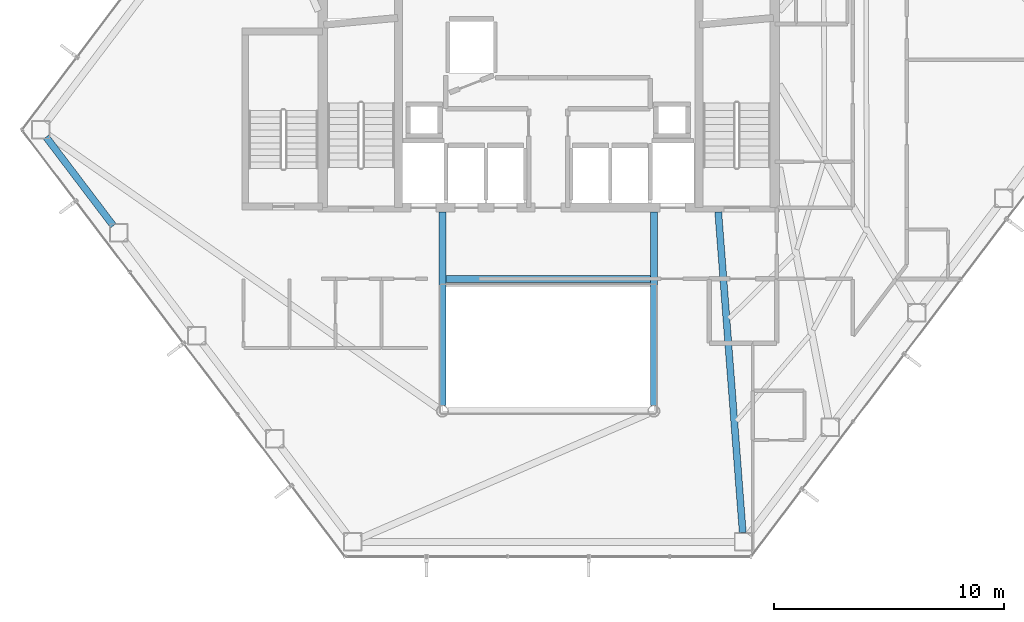
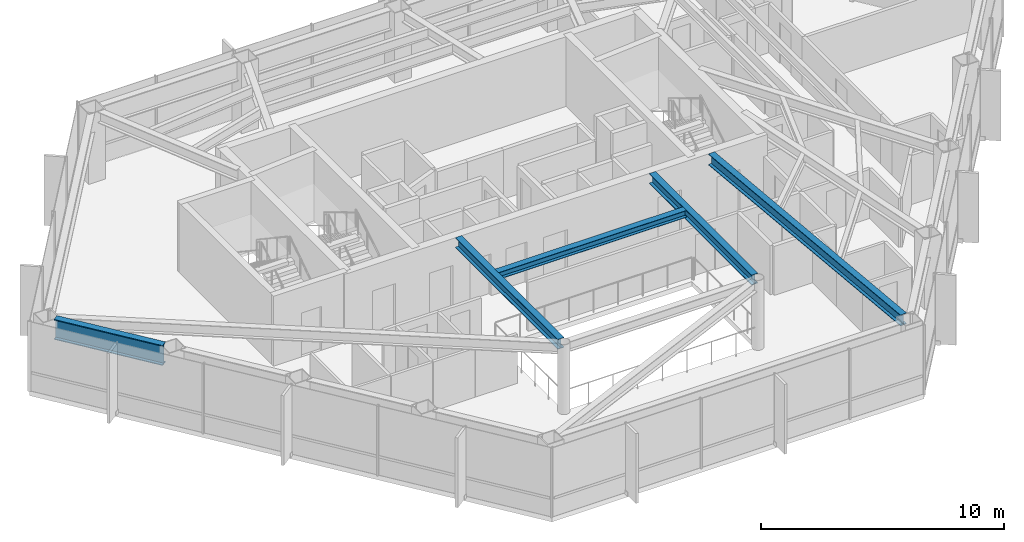
# One storey, part 9 of 28: 5 beams.
"""IFC4 building model written with IfcOpenShell, lengths in metres."""

from ifc_helpers import new_model, si_unit, direction, frame, origin, origin_2d, place, context, subcontext, project, spatial, i_section, extrude, material, material_profile, profile_set, type_object, element, save


model = new_model("IFC4")

# Units and contexts
model_context = context("Model", 3, precision=1e-05, world=origin(), true_north=direction((0.0, 1.0)))
body_context = subcontext(model_context, "Body", "Model", "MODEL_VIEW")
ifc_project = project(units=[si_unit("LENGTHUNIT", "METRE"), si_unit("AREAUNIT", "SQUARE_METRE"), si_unit("VOLUMEUNIT", "CUBIC_METRE"), si_unit("PLANEANGLEUNIT", "RADIAN"), si_unit("MASSUNIT", "GRAM", prefix="KILO")], contexts=[model_context])

# Site, building, storey
site_placement = place(None, origin())
site = spatial("IfcSite", under=ifc_project, at=site_placement, CompositionType="ELEMENT")
building_placement = place(site_placement, origin())
building = spatial("IfcBuilding", under=site, at=building_placement, Name="Zarrinselat Tower", CompositionType="ELEMENT")
storey_placement = place(building_placement, frame((0.0, 0.0, 123.419921875)))
storey = spatial("IfcBuildingStorey", under=building, at=storey_placement, Name="L29", CompositionType="ELEMENT", Elevation=123.419921875)

# Beams
ifc_material_1 = material(Name="Steel S355J2", Category="steel")
ifc_material_profile_1 = material_profile(ifc_material_1, i_section(OverallWidth=0.300048828125, OverallDepth=0.35009765625, WebThickness=0.010009765625, FlangeThickness=0.017578125, at=origin_2d()), Name="HEA 360")
ifc_profile_set_1 = profile_set([ifc_material_profile_1], Name="Steel S355J2")
beam_type_1 = type_object("IfcBeamType", Name="BM-HEA360", PredefinedType="LINTEL", material=ifc_profile_set_1)
beam_1_placement = place(storey_placement, frame((33.93994140625, 30.14990234375, 3.3251953125), z_axis=(1.0, 0.0, 0.0), x_axis=(0.0, 1.0, 0.0)))
element("IfcBeam", 1, at=beam_1_placement, inside=storey, type_object=beam_type_1, Name="L29 Lift Lobby Ceiling Beam", PredefinedType="LINTEL", context=body_context, shape_type="SweptSolid", body=[
    extrude(i_section(OverallWidth=0.300048828125, OverallDepth=0.35009765625, WebThickness=0.010009765625, FlangeThickness=0.017578125, at=origin_2d()), origin(), (0.0, 0.0, 1.0), 8.920166015625),
])
ifc_material_2 = material(Name="Steel S355J2", Category="steel")
ifc_material_profile_2 = material_profile(ifc_material_2, i_section(OverallWidth=0.300048828125, OverallDepth=0.5, WebThickness=0.014404296875, FlangeThickness=0.028076171875, at=origin_2d()), Name="HEB 500")
ifc_profile_set_2 = profile_set([ifc_material_profile_2], Name="Steel S355J2")
beam_type_2 = type_object("IfcBeamType", Name="BM-HEB500", PredefinedType="BEAM", material=ifc_profile_set_2)
for number, where, z_axis, x_axis, name in (
    (2, (33.800048828125, 24.639892578125, 3.25), (0.0, 1.0, 0.0), (-1.0, 0.0, 0.0), "L29 Atrium Edge Beam W"),
    (3, (43.0, 24.639892578125, 3.25), (0.0, 1.0, 0.0), (-1.0, 0.0, 0.0), "L29 Atrium Edge Beam E"),
):
    element("IfcBeam", number, at=place(storey_placement, frame(where, z_axis=z_axis, x_axis=x_axis)), inside=storey, type_object=beam_type_2, Name=name, PredefinedType="BEAM", context=body_context, shape_type="SweptSolid", body=[
        extrude(i_section(OverallWidth=0.300048828125, OverallDepth=0.5, WebThickness=0.014404296875, FlangeThickness=0.028076171875, at=origin_2d()), origin(), (0.0, 0.0, 1.0), 8.420166015625),
    ])
ifc_material_3 = material(Name="Steel S355J2", Category="steel")
ifc_material_profile_3 = material_profile(ifc_material_3, i_section(OverallWidth=0.300048828125, OverallDepth=0.550048828125, WebThickness=0.014892578125, FlangeThickness=0.029052734375, at=origin_2d()), Name="HEB 550")
ifc_profile_set_3 = profile_set([ifc_material_profile_3], Name="Steel S355J2")
beam_type_3 = type_object("IfcBeamType", Name="BM-HEB550", PredefinedType="BEAM", material=ifc_profile_set_3)
beam_2_placement = place(storey_placement, frame((45.800048828125, 33.06005859375, 3.22509765625), z_axis=(0.076105026411, -0.997099806918, 0.0), x_axis=(0.997099806918, 0.076105026411, 0.0)))
element("IfcBeam", 4, at=beam_2_placement, inside=storey, type_object=beam_type_3, Name="L29 Radial Primary Girder RG11", PredefinedType="BEAM", context=body_context, shape_type="SweptSolid", body=[
    extrude(i_section(OverallWidth=0.300048828125, OverallDepth=0.550048828125, WebThickness=0.014892578125, FlangeThickness=0.029052734375, at=origin_2d()), origin(), (0.0, 0.0, 1.0), 13.9833984375),
])
ifc_material_4 = material(Name="Steel S460M", Category="steel")
ifc_material_profile_4 = material_profile(ifc_material_4, i_section(OverallWidth=0.302001953125, OverallDepth=1.008056640625, WebThickness=0.02099609375, FlangeThickness=0.0400390625, at=origin_2d()), Name="HEM 1000")
ifc_profile_set_4 = profile_set([ifc_material_profile_4], Name="Steel S460M")
beam_type_4 = type_object("IfcBeamType", Name="BM-HEM1000", PredefinedType="BEAM", material=ifc_profile_set_4)
beam_3_placement = place(storey_placement, frame((16.5693359375, 36.319580078125, 2.99609375), z_axis=(0.603865454398, -0.797086264456, 0.0), x_axis=(0.797086264456, 0.603865454398, 0.0)))
element("IfcBeam", 5, at=beam_3_placement, inside=storey, type_object=beam_type_4, Name="L29 Perimeter Spandrel Girder SP06", PredefinedType="BEAM", context=body_context, shape_type="SweptSolid", body=[
    extrude(i_section(OverallWidth=0.302001953125, OverallDepth=1.008056640625, WebThickness=0.02099609375, FlangeThickness=0.0400390625, at=origin_2d()), origin(), (0.0, 0.0, 1.0), 4.841796875),
])

save(model, "model.ifc")
